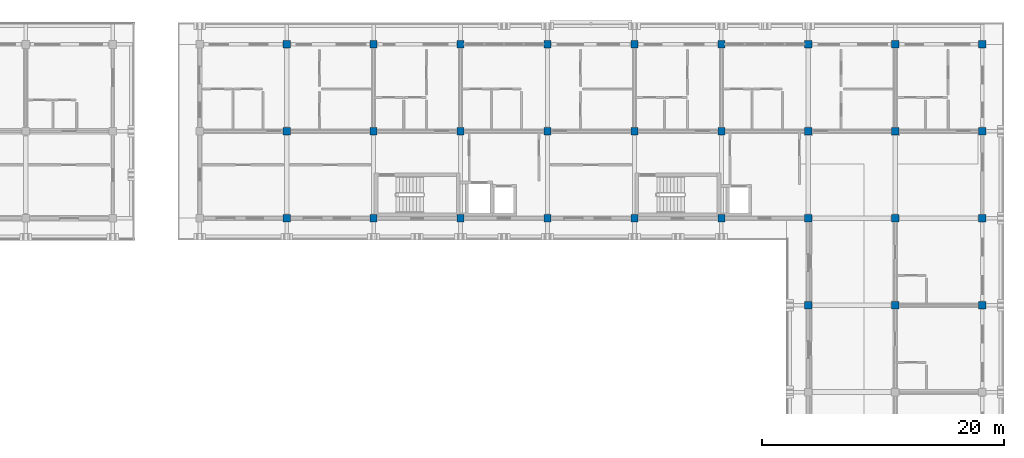
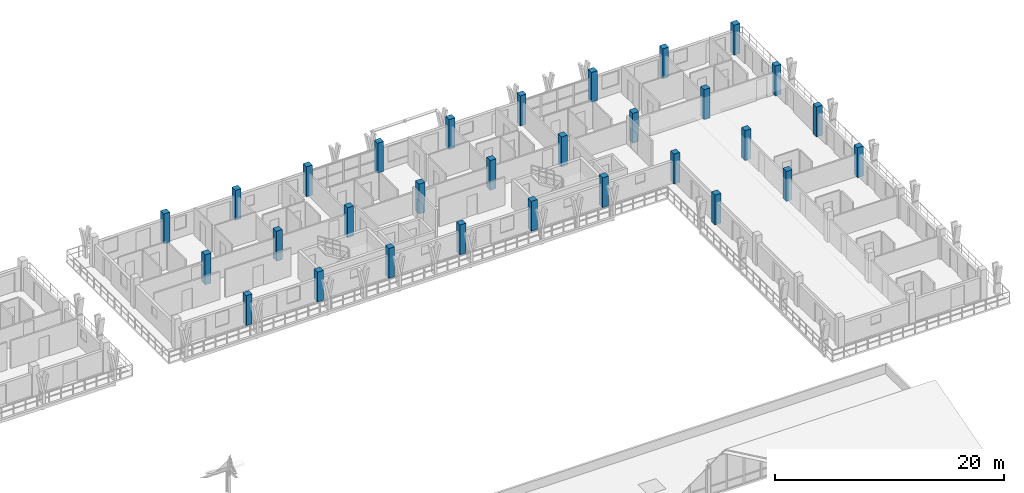
# One storey, part 16 of 157: 30 columns.
"""IFC4 building model written with IfcOpenShell, lengths in metres."""

from ifc_helpers import new_model, si_unit, direction, frame, origin, origin_2d, place, context, subcontext, project, spatial, rectangle, extrude, material, material_profile, profile_set, type_object, element, save


model = new_model("IFC4")

# Units and contexts
model_context = context("Model", 3, precision=1e-05, world=origin(), true_north=direction((0.0, 1.0)))
body_context = subcontext(model_context, "Body", "Model", "MODEL_VIEW")
ifc_project = project(units=[si_unit("LENGTHUNIT", "METRE"), si_unit("AREAUNIT", "SQUARE_METRE"), si_unit("VOLUMEUNIT", "CUBIC_METRE"), si_unit("PLANEANGLEUNIT", "RADIAN"), si_unit("MASSUNIT", "GRAM", prefix="KILO")], contexts=[model_context])

# Site, building, storey
site_placement = place(None, origin())
site = spatial("IfcSite", under=ifc_project, at=site_placement, CompositionType="ELEMENT")
building_placement = place(site_placement, origin())
building = spatial("IfcBuilding", under=site, at=building_placement, Name="Suanplinth Sawtooth Commons", CompositionType="ELEMENT")
storey_placement = place(building_placement, frame((0.0, 0.0, 9.0)))
storey = spatial("IfcBuildingStorey", under=building, at=storey_placement, Name="L02", CompositionType="ELEMENT", Elevation=9.0)

# Columns
ifc_material = material(Name="Precast concrete C40/50", Category="concrete")
ifc_material_profile = material_profile(ifc_material, rectangle(XDim=0.60009765625, YDim=0.60009765625, at=origin_2d()), Name="PC-COL 600x600")
ifc_profile_set = profile_set([ifc_material_profile], Name="Precast concrete C40/50")
column_type = type_object("IfcColumnType", Name="C-04", PredefinedType="COLUMN", material=ifc_profile_set)
for number, where, z_axis, x_axis, name in (
    (1, (129.60009765625, 108.0, 0.0), (0.0, 0.0, 1.0), (1.0, 0.0, 0.0), "Column L02 19/R"),
    (2, (129.60009765625, 115.199951171875, 0.0), (0.0, 0.0, 1.0), (1.0, 0.0, 0.0), "Column L02 19/S"),
    (3, (129.60009765625, 122.39990234375, 0.0), (0.0, 0.0, 1.0), (1.0, 0.0, 0.0), "Column L02 19/T"),
    (4, (136.800048828125, 108.0, 0.0), (0.0, 0.0, 1.0), (1.0, 0.0, 0.0), "Column L02 20/R"),
    (5, (136.800048828125, 115.199951171875, 0.0), (0.0, 0.0, 1.0), (1.0, 0.0, 0.0), "Column L02 20/S"),
    (6, (136.800048828125, 122.39990234375, 0.0), (0.0, 0.0, 1.0), (1.0, 0.0, 0.0), "Column L02 20/T"),
    (7, (144.0, 108.0, 0.0), (0.0, 0.0, 1.0), (1.0, 0.0, 0.0), "Column L02 21/R"),
    (8, (144.0, 115.199951171875, 0.0), (0.0, 0.0, 1.0), (1.0, 0.0, 0.0), "Column L02 21/S"),
    (9, (144.0, 122.39990234375, 0.0), (0.0, 0.0, 1.0), (1.0, 0.0, 0.0), "Column L02 21/T"),
    (10, (151.199951171875, 108.0, 0.0), (0.0, 0.0, 1.0), (1.0, 0.0, 0.0), "Column L02 22/R"),
    (11, (151.199951171875, 115.199951171875, 0.0), (0.0, 0.0, 1.0), (1.0, 0.0, 0.0), "Column L02 22/S"),
    (12, (151.199951171875, 122.39990234375, 0.0), (0.0, 0.0, 1.0), (1.0, 0.0, 0.0), "Column L02 22/T"),
    (13, (158.39990234375, 108.0, 0.0), (0.0, 0.0, 1.0), (1.0, 0.0, 0.0), "Column L02 23/R"),
    (14, (158.39990234375, 115.199951171875, 0.0), (0.0, 0.0, 1.0), (1.0, 0.0, 0.0), "Column L02 23/S"),
    (15, (158.39990234375, 122.39990234375, 0.0), (0.0, 0.0, 1.0), (1.0, 0.0, 0.0), "Column L02 23/T"),
    (16, (165.60009765625, 108.0, 0.0), (0.0, 0.0, 1.0), (1.0, 0.0, 0.0), "Column L02 24/R"),
    (17, (165.60009765625, 115.199951171875, 0.0), (0.0, 0.0, 1.0), (1.0, 0.0, 0.0), "Column L02 24/S"),
    (18, (165.60009765625, 122.39990234375, 0.0), (0.0, 0.0, 1.0), (1.0, 0.0, 0.0), "Column L02 24/T"),
    (19, (172.800048828125, 100.800048828125, 0.0), (0.0, 0.0, 1.0), (1.0, 0.0, 0.0), "Column L02 25/Q"),
    (20, (172.800048828125, 108.0, 0.0), (0.0, 0.0, 1.0), (1.0, 0.0, 0.0), "Column L02 25/R"),
    (21, (172.800048828125, 115.199951171875, 0.0), (0.0, 0.0, 1.0), (1.0, 0.0, 0.0), "Column L02 25/S"),
    (22, (172.800048828125, 122.39990234375, 0.0), (0.0, 0.0, 1.0), (1.0, 0.0, 0.0), "Column L02 25/T"),
    (23, (180.0, 100.800048828125, 0.0), (0.0, 0.0, 1.0), (1.0, 0.0, 0.0), "Column L02 26/Q"),
    (24, (180.0, 108.0, 0.0), (0.0, 0.0, 1.0), (1.0, 0.0, 0.0), "Column L02 26/R"),
    (25, (180.0, 115.199951171875, 0.0), (0.0, 0.0, 1.0), (1.0, 0.0, 0.0), "Column L02 26/S"),
    (26, (180.0, 122.39990234375, 0.0), (0.0, 0.0, 1.0), (1.0, 0.0, 0.0), "Column L02 26/T"),
    (27, (187.199951171875, 100.800048828125, 0.0), (0.0, 0.0, 1.0), (1.0, 0.0, 0.0), "Column L02 27/Q"),
    (28, (187.199951171875, 108.0, 0.0), (0.0, 0.0, 1.0), (1.0, 0.0, 0.0), "Column L02 27/R"),
    (29, (187.199951171875, 115.199951171875, 0.0), (0.0, 0.0, 1.0), (1.0, 0.0, 0.0), "Column L02 27/S"),
    (30, (187.199951171875, 122.39990234375, 0.0), (0.0, 0.0, 1.0), (1.0, 0.0, 0.0), "Column L02 27/T"),
):
    element("IfcColumn", number, at=place(storey_placement, frame(where, z_axis=z_axis, x_axis=x_axis)), inside=storey, type_object=column_type, Name=name, PredefinedType="COLUMN", context=body_context, shape_type="SweptSolid", body=[
        extrude(rectangle(XDim=0.60009765625, YDim=0.60009765625, at=origin_2d()), origin(), (0.0, 0.0, 1.0), 3.199951171875),
    ])

save(model, "model.ifc")
